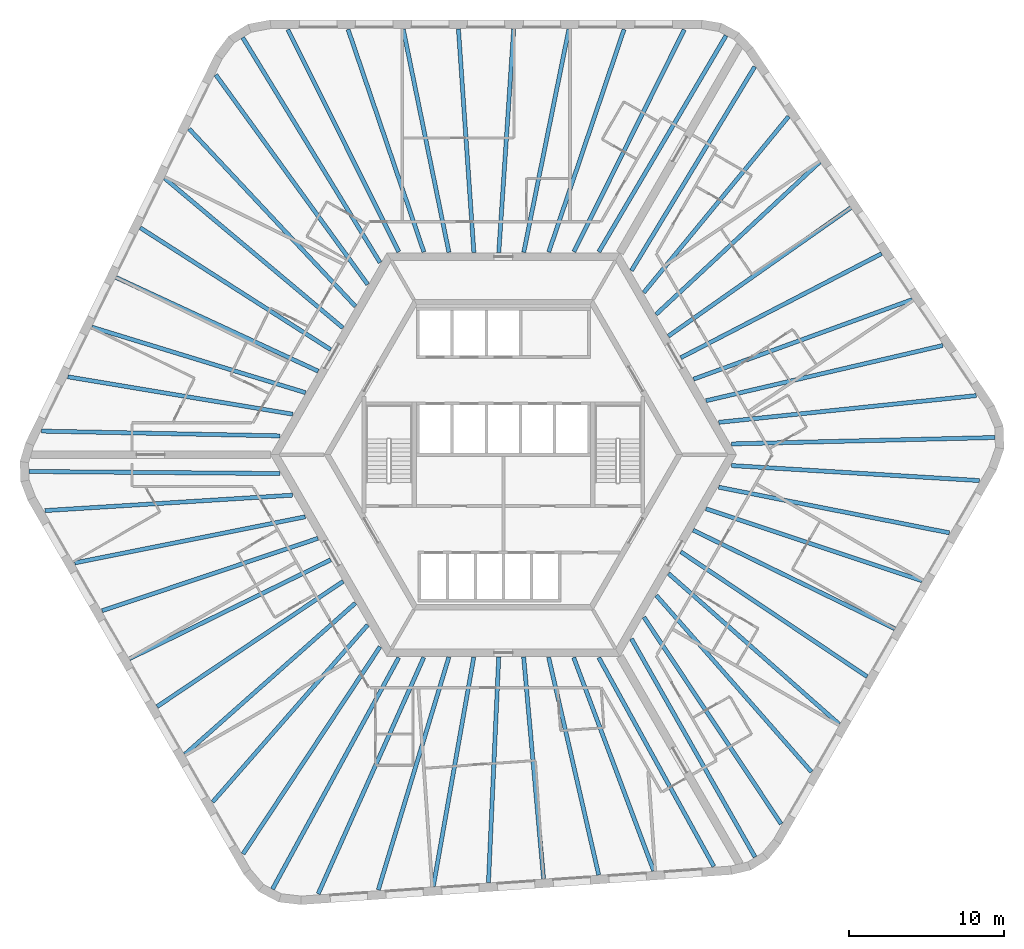
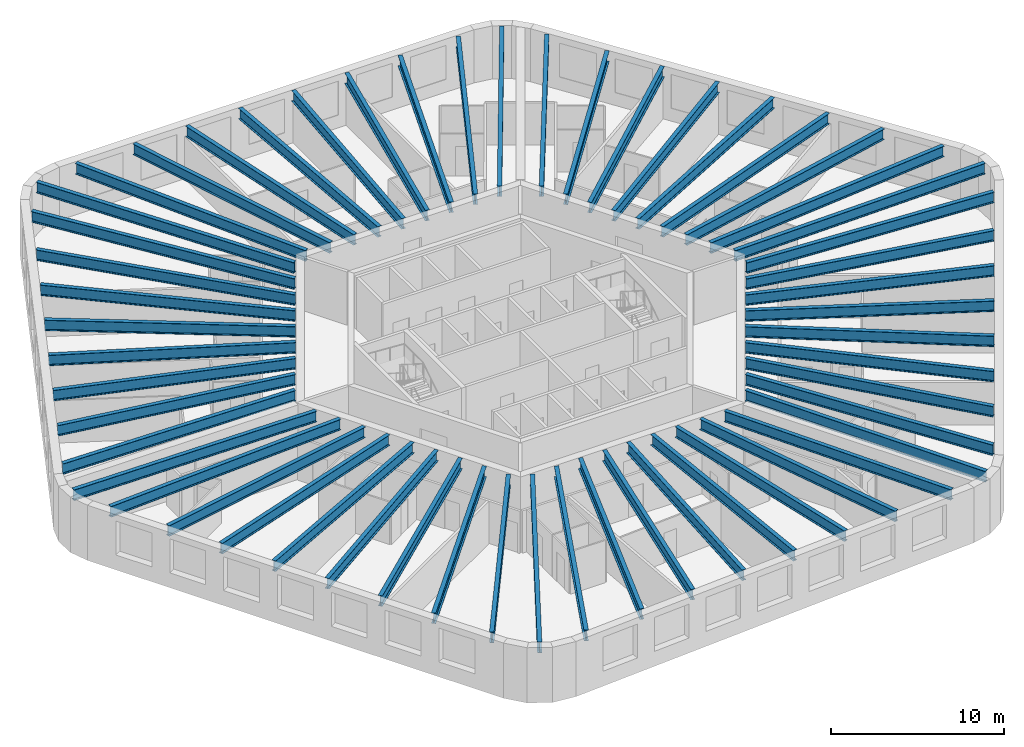
# One storey, part 1 of 10: 54 beams.
"""IFC4 building model written with IfcOpenShell, lengths in metres."""

from ifc_helpers import new_model, si_unit, direction, frame, origin, origin_2d, place, context, subcontext, project, spatial, i_section, extrude, material, material_profile, profile_set, type_object, element, save


model = new_model("IFC4")

# Units and contexts
model_context = context("Model", 3, precision=1e-05, world=origin(), true_north=direction((0.0, 1.0)))
body_context = subcontext(model_context, "Body", "Model", "MODEL_VIEW")
ifc_project = project(units=[si_unit("LENGTHUNIT", "METRE"), si_unit("AREAUNIT", "SQUARE_METRE"), si_unit("VOLUMEUNIT", "CUBIC_METRE"), si_unit("PLANEANGLEUNIT", "RADIAN"), si_unit("MASSUNIT", "GRAM", prefix="KILO")], contexts=[model_context])

# Site, building, storey
site_placement = place(None, origin())
site = spatial("IfcSite", under=ifc_project, at=site_placement, CompositionType="ELEMENT")
building_placement = place(site_placement, origin())
building = spatial("IfcBuilding", under=site, at=building_placement, Name="Tarnside Tower", CompositionType="ELEMENT")
storey_placement = place(building_placement, frame((0.0, 0.0, 187.800048828125)))
storey = spatial("IfcBuildingStorey", under=building, at=storey_placement, Name="L44", CompositionType="ELEMENT", Elevation=187.800048828125)

# Beams
ifc_material = material(Name="Steel S355", Category="steel")
ifc_material_profile_1 = material_profile(ifc_material, i_section(OverallWidth=0.26513671875, OverallDepth=0.75390625, WebThickness=0.0126953125, FlangeThickness=0.017578125, FilletRadius=0.0166015625, at=origin_2d()), Name="UB 762x267x147")
ifc_profile_set_1 = profile_set([ifc_material_profile_1], Name="Steel S355")
beam_type_1 = type_object("IfcBeamType", Name="Floor beam UB 762x267x147", PredefinedType="BEAM", material=ifc_profile_set_1)
beam_1_placement = place(storey_placement, frame((7.77001953125, 27.393310546875, 3.373046875), z_axis=(-0.320362579778, -0.947295000239, 0.0), x_axis=(0.947295000239, -0.320362579778, 0.0)))
element("IfcBeam", 1, at=beam_1_placement, inside=storey, type_object=beam_type_1, Name="Floor beam F1.02", PredefinedType="BEAM", context=body_context, shape_type="SweptSolid", body=[
    extrude(i_section(OverallWidth=0.26513671875, OverallDepth=0.75390625, WebThickness=0.0126953125, FlangeThickness=0.017578125, FilletRadius=0.0166015625, at=origin_2d()), origin(), (0.0, 0.0, 1.0), 15.134033203125),
])
beam_2_placement = place(storey_placement, frame((4.218505859375, 27.410888671875, 3.373046875), z_axis=(-0.19841777413, -0.980117537293, 0.0), x_axis=(0.980117537293, -0.19841777413, 0.0)))
element("IfcBeam", 2, at=beam_2_placement, inside=storey, type_object=beam_type_1, Name="Floor beam F1.03", PredefinedType="BEAM", context=body_context, shape_type="SweptSolid", body=[
    extrude(i_section(OverallWidth=0.26513671875, OverallDepth=0.75390625, WebThickness=0.0126953125, FlangeThickness=0.017578125, FilletRadius=0.0166015625, at=origin_2d()), origin(), (0.0, 0.0, 1.0), 14.6630859375),
])
beam_3_placement = place(storey_placement, frame((0.66259765625, 27.429931640625, 3.373046875), z_axis=(-0.066554914868, -0.997782763585, 0.0), x_axis=(0.997782763585, -0.066554914868, 0.0)))
element("IfcBeam", 3, at=beam_3_placement, inside=storey, type_object=beam_type_1, Name="Floor beam F1.04", PredefinedType="BEAM", context=body_context, shape_type="SweptSolid", body=[
    extrude(i_section(OverallWidth=0.26513671875, OverallDepth=0.75390625, WebThickness=0.0126953125, FlangeThickness=0.017578125, FilletRadius=0.0166015625, at=origin_2d()), origin(), (0.0, 0.0, 1.0), 14.44189453125),
])
beam_4_placement = place(storey_placement, frame((-2.8974609375, 27.429931640625, 3.373046875), z_axis=(0.068876921658, -0.997625164911, 0.0), x_axis=(0.997625164911, 0.068876921658, 0.0)))
element("IfcBeam", 4, at=beam_4_placement, inside=storey, type_object=beam_type_1, Name="Floor beam F1.05", PredefinedType="BEAM", context=body_context, shape_type="SweptSolid", body=[
    extrude(i_section(OverallWidth=0.26513671875, OverallDepth=0.75390625, WebThickness=0.0126953125, FlangeThickness=0.017578125, FilletRadius=0.0166015625, at=origin_2d()), origin(), (0.0, 0.0, 1.0), 14.4443359375),
])
beam_5_placement = place(storey_placement, frame((-6.45361328125, 27.410888671875, 3.373046875), z_axis=(0.200623497398, -0.979668419564, 0.0), x_axis=(0.979668419564, 0.200623497398, 0.0)))
element("IfcBeam", 5, at=beam_5_placement, inside=storey, type_object=beam_type_1, Name="Floor beam F1.06", PredefinedType="BEAM", context=body_context, shape_type="SweptSolid", body=[
    extrude(i_section(OverallWidth=0.26513671875, OverallDepth=0.75390625, WebThickness=0.0126953125, FlangeThickness=0.017578125, FilletRadius=0.0166015625, at=origin_2d()), origin(), (0.0, 0.0, 1.0), 14.669921875),
])
beam_6_placement = place(storey_placement, frame((-10.0048828125, 27.393310546875, 3.373046875), z_axis=(0.322343712034, -0.946622697442, 0.0), x_axis=(0.946622697442, 0.322343712034, 0.0)))
element("IfcBeam", 6, at=beam_6_placement, inside=storey, type_object=beam_type_1, Name="Floor beam F1.07", PredefinedType="BEAM", context=body_context, shape_type="SweptSolid", body=[
    extrude(i_section(OverallWidth=0.26513671875, OverallDepth=0.75390625, WebThickness=0.0126953125, FlangeThickness=0.017578125, FilletRadius=0.0166015625, at=origin_2d()), origin(), (0.0, 0.0, 1.0), 15.144775390625),
])
beam_7_placement = place(storey_placement, frame((-20.241455078125, 20.9892578125, 3.373046875), z_axis=(0.683752330283, -0.729714156936, 0.0), x_axis=(0.729714156936, 0.683752330283, 0.0)))
element("IfcBeam", 7, at=beam_7_placement, inside=storey, type_object=beam_type_1, Name="Floor beam F2.02", PredefinedType="BEAM", context=body_context, shape_type="SweptSolid", body=[
    extrude(i_section(OverallWidth=0.26513671875, OverallDepth=0.75390625, WebThickness=0.0126953125, FlangeThickness=0.017578125, FilletRadius=0.0166015625, at=origin_2d()), origin(), (0.0, 0.0, 1.0), 15.6591796875),
])
beam_8_placement = place(storey_placement, frame((-21.81396484375, 17.80419921875, 3.373046875), z_axis=(0.765948461073, -0.642901979294, 0.0), x_axis=(0.642901979294, 0.765948461073, 0.0)))
element("IfcBeam", 8, at=beam_8_placement, inside=storey, type_object=beam_type_1, Name="Floor beam F2.03", PredefinedType="BEAM", context=body_context, shape_type="SweptSolid", body=[
    extrude(i_section(OverallWidth=0.26513671875, OverallDepth=0.75390625, WebThickness=0.0126953125, FlangeThickness=0.017578125, FilletRadius=0.0166015625, at=origin_2d()), origin(), (0.0, 0.0, 1.0), 14.982177734375),
])
beam_9_placement = place(storey_placement, frame((-23.389892578125, 14.616455078125, 3.373046875), z_axis=(0.842378275633, -0.538886667808, 0.0), x_axis=(0.538886667808, 0.842378275633, 0.0)))
element("IfcBeam", 9, at=beam_9_placement, inside=storey, type_object=beam_type_1, Name="Floor beam F2.04", PredefinedType="BEAM", context=body_context, shape_type="SweptSolid", body=[
    extrude(i_section(OverallWidth=0.26513671875, OverallDepth=0.75390625, WebThickness=0.0126953125, FlangeThickness=0.017578125, FilletRadius=0.0166015625, at=origin_2d()), origin(), (0.0, 0.0, 1.0), 14.5595703125),
])
beam_10_placement = place(storey_placement, frame((-24.9501953125, 11.416748046875, 3.373046875), z_axis=(0.907310131748, -0.420462037321, 0.0), x_axis=(0.420462037321, 0.907310131748, 0.0)))
element("IfcBeam", 10, at=beam_10_placement, inside=storey, type_object=beam_type_1, Name="Floor beam F2.05", PredefinedType="BEAM", context=body_context, shape_type="SweptSolid", body=[
    extrude(i_section(OverallWidth=0.26513671875, OverallDepth=0.75390625, WebThickness=0.0126953125, FlangeThickness=0.017578125, FilletRadius=0.0166015625, at=origin_2d()), origin(), (0.0, 0.0, 1.0), 14.353515625),
])
beam_11_placement = place(storey_placement, frame((-26.510986328125, 8.2177734375, 3.373046875), z_axis=(0.956073348261, -0.293127536654, 0.0), x_axis=(0.293127536654, 0.956073348261, 0.0)))
element("IfcBeam", 11, at=beam_11_placement, inside=storey, type_object=beam_type_1, Name="Floor beam F2.06", PredefinedType="BEAM", context=body_context, shape_type="SweptSolid", body=[
    extrude(i_section(OverallWidth=0.26513671875, OverallDepth=0.75390625, WebThickness=0.0126953125, FlangeThickness=0.017578125, FilletRadius=0.0166015625, at=origin_2d()), origin(), (0.0, 0.0, 1.0), 14.3955078125),
])
beam_12_placement = place(storey_placement, frame((-28.0517578125, 5.015869140625, 3.373046875), z_axis=(0.986476498304, -0.163902770858, 0.0), x_axis=(0.163902770858, 0.986476498304, 0.0)))
element("IfcBeam", 12, at=beam_12_placement, inside=storey, type_object=beam_type_1, Name="Floor beam F2.07", PredefinedType="BEAM", context=body_context, shape_type="SweptSolid", body=[
    extrude(i_section(OverallWidth=0.26513671875, OverallDepth=0.75390625, WebThickness=0.0126953125, FlangeThickness=0.017578125, FilletRadius=0.0166015625, at=origin_2d()), origin(), (0.0, 0.0, 1.0), 14.680908203125),
])
beam_13_placement = place(storey_placement, frame((-29.73828125, 1.521484375, 3.373046875), z_axis=(0.999800142641, -0.019991867701, 0.0), x_axis=(0.019991867701, 0.999800142641, 0.0)))
element("IfcBeam", 13, at=beam_13_placement, inside=storey, type_object=beam_type_1, Name="Floor beam F2.08", PredefinedType="BEAM", context=body_context, shape_type="SweptSolid", body=[
    extrude(i_section(OverallWidth=0.26513671875, OverallDepth=0.75390625, WebThickness=0.0126953125, FlangeThickness=0.017578125, FilletRadius=0.0166015625, at=origin_2d()), origin(), (0.0, 0.0, 1.0), 15.3505859375),
])
beam_14_placement = place(storey_placement, frame((-27.608154296875, -6.967529296875, 3.373046875), z_axis=(0.980564540422, 0.196196794232, 0.0), x_axis=(-0.196196794232, 0.980564540422, 0.0)))
element("IfcBeam", 14, at=beam_14_placement, inside=storey, type_object=beam_type_1, Name="Floor beam F3.02", PredefinedType="BEAM", context=body_context, shape_type="SweptSolid", body=[
    extrude(i_section(OverallWidth=0.26513671875, OverallDepth=0.75390625, WebThickness=0.0126953125, FlangeThickness=0.017578125, FilletRadius=0.0166015625, at=origin_2d()), origin(), (0.0, 0.0, 1.0), 15.134033203125),
])
beam_15_placement = place(storey_placement, frame((-25.84765625, -10.052001953125, 3.373046875), z_axis=(0.948011835322, 0.31823507049, 0.0), x_axis=(-0.31823507049, 0.948011835322, 0.0)))
element("IfcBeam", 15, at=beam_15_placement, inside=storey, type_object=beam_type_1, Name="Floor beam F3.03", PredefinedType="BEAM", context=body_context, shape_type="SweptSolid", body=[
    extrude(i_section(OverallWidth=0.26513671875, OverallDepth=0.75390625, WebThickness=0.0126953125, FlangeThickness=0.017578125, FilletRadius=0.0166015625, at=origin_2d()), origin(), (0.0, 0.0, 1.0), 14.662841796875),
])
beam_16_placement = place(storey_placement, frame((-24.086181640625, -13.141357421875, 3.373046875), z_axis=(0.897375974806, 0.441266767206, 0.0), x_axis=(-0.441266767206, 0.897375974806, 0.0)))
element("IfcBeam", 16, at=beam_16_placement, inside=storey, type_object=beam_type_1, Name="Floor beam F3.04", PredefinedType="BEAM", context=body_context, shape_type="SweptSolid", body=[
    extrude(i_section(OverallWidth=0.26513671875, OverallDepth=0.75390625, WebThickness=0.0126953125, FlangeThickness=0.017578125, FilletRadius=0.0166015625, at=origin_2d()), origin(), (0.0, 0.0, 1.0), 14.442138671875),
])
beam_17_placement = place(storey_placement, frame((-22.306396484375, -16.224365234375, 3.373046875), z_axis=(0.829532486243, 0.558458462437, 0.0), x_axis=(-0.558458462437, 0.829532486243, 0.0)))
element("IfcBeam", 17, at=beam_17_placement, inside=storey, type_object=beam_type_1, Name="Floor beam F3.05", PredefinedType="BEAM", context=body_context, shape_type="SweptSolid", body=[
    extrude(i_section(OverallWidth=0.26513671875, OverallDepth=0.75390625, WebThickness=0.0126953125, FlangeThickness=0.017578125, FilletRadius=0.0166015625, at=origin_2d()), origin(), (0.0, 0.0, 1.0), 14.444580078125),
])
beam_18_placement = place(storey_placement, frame((-20.51171875, -19.294189453125, 3.373046875), z_axis=(0.74811408094, 0.663570133369, 0.0), x_axis=(-0.663570133369, 0.74811408094, 0.0)))
element("IfcBeam", 18, at=beam_18_placement, inside=storey, type_object=beam_type_1, Name="Floor beam F3.06", PredefinedType="BEAM", context=body_context, shape_type="SweptSolid", body=[
    extrude(i_section(OverallWidth=0.26513671875, OverallDepth=0.75390625, WebThickness=0.0126953125, FlangeThickness=0.017578125, FilletRadius=0.0166015625, at=origin_2d()), origin(), (0.0, 0.0, 1.0), 14.669677734375),
])
beam_19_placement = place(storey_placement, frame((-18.720703125, -22.361083984375, 3.373046875), z_axis=(0.658621010302, 0.752474826681, 0.0), x_axis=(-0.752474826681, 0.658621010302, 0.0)))
element("IfcBeam", 19, at=beam_19_placement, inside=storey, type_object=beam_type_1, Name="Floor beam F3.07", PredefinedType="BEAM", context=body_context, shape_type="SweptSolid", body=[
    extrude(i_section(OverallWidth=0.26513671875, OverallDepth=0.75390625, WebThickness=0.0126953125, FlangeThickness=0.017578125, FilletRadius=0.0166015625, at=origin_2d()), origin(), (0.0, 0.0, 1.0), 15.144775390625),
])
beam_20_placement = place(storey_placement, frame((-8.056396484375, -28.024169921875, 3.373046875), z_axis=(0.290070138838, 0.957005388989, 0.0), x_axis=(-0.957005388989, 0.290070138838, 0.0)))
element("IfcBeam", 20, at=beam_20_placement, inside=storey, type_object=beam_type_1, Name="Floor beam F4.02", PredefinedType="BEAM", context=body_context, shape_type="SweptSolid", body=[
    extrude(i_section(OverallWidth=0.26513671875, OverallDepth=0.75390625, WebThickness=0.0126953125, FlangeThickness=0.017578125, FilletRadius=0.0166015625, at=origin_2d()), origin(), (0.0, 0.0, 1.0), 15.6591796875),
])
beam_21_placement = place(storey_placement, frame((-4.511962890625, -27.793701171875, 3.373046875), z_axis=(0.173788122681, 0.984783066678, 0.0), x_axis=(-0.984783066678, 0.173788122681, 0.0)))
element("IfcBeam", 21, at=beam_21_placement, inside=storey, type_object=beam_type_1, Name="Floor beam F4.03", PredefinedType="BEAM", context=body_context, shape_type="SweptSolid", body=[
    extrude(i_section(OverallWidth=0.26513671875, OverallDepth=0.75390625, WebThickness=0.0126953125, FlangeThickness=0.017578125, FilletRadius=0.0166015625, at=origin_2d()), origin(), (0.0, 0.0, 1.0), 14.982421875),
])
beam_22_placement = place(storey_placement, frame((-0.96337890625, -27.564453125, 3.373046875), z_axis=(0.045509585226, 0.998963902077, 0.0), x_axis=(-0.998963902077, 0.045509585226, 0.0)))
element("IfcBeam", 22, at=beam_22_placement, inside=storey, type_object=beam_type_1, Name="Floor beam F4.04", PredefinedType="BEAM", context=body_context, shape_type="SweptSolid", body=[
    extrude(i_section(OverallWidth=0.26513671875, OverallDepth=0.75390625, WebThickness=0.0126953125, FlangeThickness=0.017578125, FilletRadius=0.0166015625, at=origin_2d()), origin(), (0.0, 0.0, 1.0), 14.5595703125),
])
beam_23_placement = place(storey_placement, frame((2.587890625, -27.31591796875, 3.373046875), z_axis=(-0.089518916897, 0.995985122137, 0.0), x_axis=(-0.995985122137, -0.089518916897, 0.0)))
element("IfcBeam", 23, at=beam_23_placement, inside=storey, type_object=beam_type_1, Name="Floor beam F4.05", PredefinedType="BEAM", context=body_context, shape_type="SweptSolid", body=[
    extrude(i_section(OverallWidth=0.26513671875, OverallDepth=0.75390625, WebThickness=0.0126953125, FlangeThickness=0.017578125, FilletRadius=0.0166015625, at=origin_2d()), origin(), (0.0, 0.0, 1.0), 14.353515625),
])
beam_24_placement = place(storey_placement, frame((6.138671875, -27.068115234375, 3.373046875), z_axis=(-0.224188122435, 0.974545886944, 0.0), x_axis=(-0.974545886944, -0.224188122435, 0.0)))
element("IfcBeam", 24, at=beam_24_placement, inside=storey, type_object=beam_type_1, Name="Floor beam F4.06", PredefinedType="BEAM", context=body_context, shape_type="SweptSolid", body=[
    extrude(i_section(OverallWidth=0.26513671875, OverallDepth=0.75390625, WebThickness=0.0126953125, FlangeThickness=0.017578125, FilletRadius=0.0166015625, at=origin_2d()), origin(), (0.0, 0.0, 1.0), 14.3955078125),
])
beam_25_placement = place(storey_placement, frame((9.681884765625, -26.801513671875, 3.373046875), z_axis=(-0.351271055087, 0.936273809234, 0.0), x_axis=(-0.936273809234, -0.351271055087, 0.0)))
element("IfcBeam", 25, at=beam_25_placement, inside=storey, type_object=beam_type_1, Name="Floor beam F4.07", PredefinedType="BEAM", context=body_context, shape_type="SweptSolid", body=[
    extrude(i_section(OverallWidth=0.26513671875, OverallDepth=0.75390625, WebThickness=0.0126953125, FlangeThickness=0.017578125, FilletRadius=0.0166015625, at=origin_2d()), origin(), (0.0, 0.0, 1.0), 14.680908203125),
])
beam_26_placement = place(storey_placement, frame((13.551513671875, -26.514892578125, 3.373046875), z_axis=(-0.482584088089, 0.875849643445, 0.0), x_axis=(-0.875849643445, -0.482584088089, 0.0)))
element("IfcBeam", 26, at=beam_26_placement, inside=storey, type_object=beam_type_1, Name="Floor beam F4.08", PredefinedType="BEAM", context=body_context, shape_type="SweptSolid", body=[
    extrude(i_section(OverallWidth=0.26513671875, OverallDepth=0.75390625, WebThickness=0.0126953125, FlangeThickness=0.017578125, FilletRadius=0.0166015625, at=origin_2d()), origin(), (0.0, 0.0, 1.0), 15.3505859375),
])
beam_27_placement = place(storey_placement, frame((19.838134765625, -20.425537109375, 3.373046875), z_axis=(-0.660201214512, 0.751088780609, 0.0), x_axis=(-0.751088780609, -0.660201214512, 0.0)))
element("IfcBeam", 27, at=beam_27_placement, inside=storey, type_object=beam_type_1, Name="Floor beam F5.02", PredefinedType="BEAM", context=body_context, shape_type="SweptSolid", body=[
    extrude(i_section(OverallWidth=0.26513671875, OverallDepth=0.75390625, WebThickness=0.0126953125, FlangeThickness=0.017578125, FilletRadius=0.0166015625, at=origin_2d()), origin(), (0.0, 0.0, 1.0), 15.134033203125),
])
beam_28_placement = place(storey_placement, frame((21.629150390625, -17.358642578125, 3.373046875), z_axis=(-0.749601662028, 0.661889226597, 0.0), x_axis=(-0.661889226597, -0.749601662028, 0.0)))
element("IfcBeam", 28, at=beam_28_placement, inside=storey, type_object=beam_type_1, Name="Floor beam F5.03", PredefinedType="BEAM", context=body_context, shape_type="SweptSolid", body=[
    extrude(i_section(OverallWidth=0.26513671875, OverallDepth=0.75390625, WebThickness=0.0126953125, FlangeThickness=0.017578125, FilletRadius=0.0166015625, at=origin_2d()), origin(), (0.0, 0.0, 1.0), 14.6630859375),
])
beam_29_placement = place(storey_placement, frame((23.423828125, -14.288818359375, 3.373046875), z_axis=(-0.830825943553, 0.556532345439, 0.0), x_axis=(-0.556532345439, -0.830825943553, 0.0)))
element("IfcBeam", 29, at=beam_29_placement, inside=storey, type_object=beam_type_1, Name="Floor beam F5.04", PredefinedType="BEAM", context=body_context, shape_type="SweptSolid", body=[
    extrude(i_section(OverallWidth=0.26513671875, OverallDepth=0.75390625, WebThickness=0.0126953125, FlangeThickness=0.017578125, FilletRadius=0.0166015625, at=origin_2d()), origin(), (0.0, 0.0, 1.0), 14.4423828125),
])
beam_30_placement = place(storey_placement, frame((25.203857421875, -11.205810546875, 3.373046875), z_axis=(-0.898407034897, 0.43916375038, 0.0), x_axis=(-0.43916375038, -0.898407034897, 0.0)))
element("IfcBeam", 30, at=beam_30_placement, inside=storey, type_object=beam_type_1, Name="Floor beam F5.05", PredefinedType="BEAM", context=body_context, shape_type="SweptSolid", body=[
    extrude(i_section(OverallWidth=0.26513671875, OverallDepth=0.75390625, WebThickness=0.0126953125, FlangeThickness=0.017578125, FilletRadius=0.0166015625, at=origin_2d()), origin(), (0.0, 0.0, 1.0), 14.444580078125),
])
beam_31_placement = place(storey_placement, frame((26.965087890625, -8.116455078125, 3.373046875), z_axis=(-0.948728223501, 0.31609295774, 0.0), x_axis=(-0.31609295774, -0.948728223501, 0.0)))
element("IfcBeam", 31, at=beam_31_placement, inside=storey, type_object=beam_type_1, Name="Floor beam F5.06", PredefinedType="BEAM", context=body_context, shape_type="SweptSolid", body=[
    extrude(i_section(OverallWidth=0.26513671875, OverallDepth=0.75390625, WebThickness=0.0126953125, FlangeThickness=0.017578125, FilletRadius=0.0166015625, at=origin_2d()), origin(), (0.0, 0.0, 1.0), 14.669677734375),
])
beam_32_placement = place(storey_placement, frame((28.7255859375, -5.031982421875, 3.373046875), z_axis=(-0.980974250646, 0.194137888034, 0.0), x_axis=(-0.194137888034, -0.980974250646, 0.0)))
element("IfcBeam", 32, at=beam_32_placement, inside=storey, type_object=beam_type_1, Name="Floor beam F5.07", PredefinedType="BEAM", context=body_context, shape_type="SweptSolid", body=[
    extrude(i_section(OverallWidth=0.26513671875, OverallDepth=0.75390625, WebThickness=0.0126953125, FlangeThickness=0.017578125, FilletRadius=0.0166015625, at=origin_2d()), origin(), (0.0, 0.0, 1.0), 15.144775390625),
])
beam_33_placement = place(storey_placement, frame((28.2978515625, 7.034912109375, 3.373046875), z_axis=(-0.973828212928, -0.227285309042, 0.0), x_axis=(0.227285309042, -0.973828212928, 0.0)))
element("IfcBeam", 33, at=beam_33_placement, inside=storey, type_object=beam_type_1, Name="Floor beam F6.02", PredefinedType="BEAM", context=body_context, shape_type="SweptSolid", body=[
    extrude(i_section(OverallWidth=0.26513671875, OverallDepth=0.75390625, WebThickness=0.0126953125, FlangeThickness=0.017578125, FilletRadius=0.0166015625, at=origin_2d()), origin(), (0.0, 0.0, 1.0), 15.6591796875),
])
beam_34_placement = place(storey_placement, frame((26.325927734375, 9.989501953125, 3.373046875), z_axis=(-0.939738697004, -0.341893523415, 0.0), x_axis=(0.341893523415, -0.939738697004, 0.0)))
element("IfcBeam", 34, at=beam_34_placement, inside=storey, type_object=beam_type_1, Name="Floor beam F6.03", PredefinedType="BEAM", context=body_context, shape_type="SweptSolid", body=[
    extrude(i_section(OverallWidth=0.26513671875, OverallDepth=0.75390625, WebThickness=0.0126953125, FlangeThickness=0.017578125, FilletRadius=0.0166015625, at=origin_2d()), origin(), (0.0, 0.0, 1.0), 14.982177734375),
])
beam_35_placement = place(storey_placement, frame((24.353271484375, 12.947998046875, 3.373046875), z_axis=(-0.887881646639, -0.460071930856, 0.0), x_axis=(0.460071930856, -0.887881646639, 0.0)))
element("IfcBeam", 35, at=beam_35_placement, inside=storey, type_object=beam_type_1, Name="Floor beam F6.04", PredefinedType="BEAM", context=body_context, shape_type="SweptSolid", body=[
    extrude(i_section(OverallWidth=0.26513671875, OverallDepth=0.75390625, WebThickness=0.0126953125, FlangeThickness=0.017578125, FilletRadius=0.0166015625, at=origin_2d()), origin(), (0.0, 0.0, 1.0), 14.5595703125),
])
beam_36_placement = place(storey_placement, frame((22.3623046875, 15.899169921875, 3.373046875), z_axis=(-0.817791001708, -0.575515314762, 0.0), x_axis=(0.575515314762, -0.817791001708, 0.0)))
element("IfcBeam", 36, at=beam_36_placement, inside=storey, type_object=beam_type_1, Name="Floor beam F6.05", PredefinedType="BEAM", context=body_context, shape_type="SweptSolid", body=[
    extrude(i_section(OverallWidth=0.26513671875, OverallDepth=0.75390625, WebThickness=0.0126953125, FlangeThickness=0.017578125, FilletRadius=0.0166015625, at=origin_2d()), origin(), (0.0, 0.0, 1.0), 14.353759765625),
])
beam_37_placement = place(storey_placement, frame((20.372314453125, 18.850341796875, 3.373046875), z_axis=(-0.731892224456, -0.681420407517, 0.0), x_axis=(0.681420407517, -0.731892224456, 0.0)))
element("IfcBeam", 37, at=beam_37_placement, inside=storey, type_object=beam_type_1, Name="Floor beam F6.06", PredefinedType="BEAM", context=body_context, shape_type="SweptSolid", body=[
    extrude(i_section(OverallWidth=0.26513671875, OverallDepth=0.75390625, WebThickness=0.0126953125, FlangeThickness=0.017578125, FilletRadius=0.0166015625, at=origin_2d()), origin(), (0.0, 0.0, 1.0), 14.3955078125),
])
beam_38_placement = place(storey_placement, frame((18.369873046875, 21.78564453125, 3.373046875), z_axis=(-0.635191827457, -0.772354414975, 0.0), x_axis=(0.772354414975, -0.635191827457, 0.0)))
element("IfcBeam", 38, at=beam_38_placement, inside=storey, type_object=beam_type_1, Name="Floor beam F6.07", PredefinedType="BEAM", context=body_context, shape_type="SweptSolid", body=[
    extrude(i_section(OverallWidth=0.26513671875, OverallDepth=0.75390625, WebThickness=0.0126953125, FlangeThickness=0.017578125, FilletRadius=0.0166015625, at=origin_2d()), origin(), (0.0, 0.0, 1.0), 14.680908203125),
])
beam_39_placement = place(storey_placement, frame((16.186767578125, 24.993408203125, 3.373046875), z_axis=(-0.517208605106, -0.855859368591, 0.0), x_axis=(0.855859368591, -0.517208605106, 0.0)))
element("IfcBeam", 39, at=beam_39_placement, inside=storey, type_object=beam_type_1, Name="Floor beam F6.08", PredefinedType="BEAM", context=body_context, shape_type="SweptSolid", body=[
    extrude(i_section(OverallWidth=0.26513671875, OverallDepth=0.75390625, WebThickness=0.0126953125, FlangeThickness=0.017578125, FilletRadius=0.0166015625, at=origin_2d()), origin(), (0.0, 0.0, 1.0), 15.3505859375),
])
ifc_material_profile_2 = material_profile(ifc_material, i_section(OverallWidth=0.2666015625, OverallDepth=0.76220703125, WebThickness=0.014404296875, FlangeThickness=0.021484375, FilletRadius=0.0166015625, at=origin_2d()), Name="UB 762x267x173")
ifc_profile_set_2 = profile_set([ifc_material_profile_2], Name="Steel S355")
beam_type_2 = type_object("IfcBeamType", Name="Floor beam UB 762x267x173", PredefinedType="BEAM", material=ifc_profile_set_2)
beam_40_placement = place(storey_placement, frame((11.6494140625, 27.37841796875, 3.368896484375), z_axis=(-0.445042310328, -0.895509543231, 0.0), x_axis=(0.895509543231, -0.445042310328, 0.0)))
element("IfcBeam", 40, at=beam_40_placement, inside=storey, type_object=beam_type_2, Name="Floor beam F1.01", PredefinedType="BEAM", context=body_context, shape_type="SweptSolid", body=[
    extrude(i_section(OverallWidth=0.2666015625, OverallDepth=0.76220703125, WebThickness=0.014404296875, FlangeThickness=0.021484375, FilletRadius=0.0166015625, at=origin_2d()), origin(), (0.0, 0.0, 1.0), 15.976318359375),
])
beam_41_placement = place(storey_placement, frame((-13.884521484375, 27.37841796875, 3.368896484375), z_axis=(0.44673108957, -0.894668281326, 0.0), x_axis=(0.894668281326, 0.44673108957, 0.0)))
element("IfcBeam", 41, at=beam_41_placement, inside=storey, type_object=beam_type_2, Name="Floor beam F1.08", PredefinedType="BEAM", context=body_context, shape_type="SweptSolid", body=[
    extrude(i_section(OverallWidth=0.2666015625, OverallDepth=0.76220703125, WebThickness=0.014404296875, FlangeThickness=0.021484375, FilletRadius=0.0166015625, at=origin_2d()), origin(), (0.0, 0.0, 1.0), 15.9912109375),
])
beam_42_placement = place(storey_placement, frame((-16.79345703125, 26.86962890625, 3.368896484375), z_axis=(0.520940467881, -0.853593011291, 0.0), x_axis=(0.853593011291, 0.520940467881, 0.0)))
element("IfcBeam", 42, at=beam_42_placement, inside=storey, type_object=beam_type_2, Name="Floor beam C1", PredefinedType="BEAM", context=body_context, shape_type="SweptSolid", body=[
    extrude(i_section(OverallWidth=0.2666015625, OverallDepth=0.76220703125, WebThickness=0.014404296875, FlangeThickness=0.021484375, FilletRadius=0.0166015625, at=origin_2d()), origin(), (0.0, 0.0, 1.0), 16.980712890625),
])
beam_43_placement = place(storey_placement, frame((-18.52685546875, 24.471435546875, 3.368896484375), z_axis=(0.586791943415, -0.80973774467, 0.0), x_axis=(0.80973774467, 0.586791943415, 0.0)))
element("IfcBeam", 43, at=beam_43_placement, inside=storey, type_object=beam_type_2, Name="Floor beam F2.01", PredefinedType="BEAM", context=body_context, shape_type="SweptSolid", body=[
    extrude(i_section(OverallWidth=0.2666015625, OverallDepth=0.76220703125, WebThickness=0.014404296875, FlangeThickness=0.021484375, FilletRadius=0.0166015625, at=origin_2d()), origin(), (0.0, 0.0, 1.0), 16.67578125),
])
beam_44_placement = place(storey_placement, frame((-30.543212890625, -1.079345703125, 3.368896484375), z_axis=(0.999966072652, -0.008237326324, 0.0), x_axis=(0.008237326324, 0.999966072652, 0.0)))
element("IfcBeam", 44, at=beam_44_placement, inside=storey, type_object=beam_type_2, Name="Floor beam C2", PredefinedType="BEAM", context=body_context, shape_type="SweptSolid", body=[
    extrude(i_section(OverallWidth=0.2666015625, OverallDepth=0.76220703125, WebThickness=0.014404296875, FlangeThickness=0.021484375, FilletRadius=0.0166015625, at=origin_2d()), origin(), (0.0, 0.0, 1.0), 16.15283203125),
])
beam_45_placement = place(storey_placement, frame((-29.534912109375, -3.6005859375, 3.368896484375), z_axis=(0.99805531279, 0.062334521832, 0.0), x_axis=(-0.062334521832, 0.99805531279, 0.0)))
element("IfcBeam", 45, at=beam_45_placement, inside=storey, type_object=beam_type_2, Name="Floor beam F3.01", PredefinedType="BEAM", context=body_context, shape_type="SweptSolid", body=[
    extrude(i_section(OverallWidth=0.2666015625, OverallDepth=0.76220703125, WebThickness=0.014404296875, FlangeThickness=0.021484375, FilletRadius=0.0166015625, at=origin_2d()), origin(), (0.0, 0.0, 1.0), 15.975830078125),
])
beam_46_placement = place(storey_placement, frame((-16.768310546875, -25.71337890625, 3.368896484375), z_axis=(0.551447600123, 0.834209532623, 0.0), x_axis=(-0.834209532623, 0.551447600123, 0.0)))
element("IfcBeam", 46, at=beam_46_placement, inside=storey, type_object=beam_type_2, Name="Floor beam F3.08", PredefinedType="BEAM", context=body_context, shape_type="SweptSolid", body=[
    extrude(i_section(OverallWidth=0.2666015625, OverallDepth=0.76220703125, WebThickness=0.014404296875, FlangeThickness=0.021484375, FilletRadius=0.0166015625, at=origin_2d()), origin(), (0.0, 0.0, 1.0), 15.9912109375),
])
beam_47_placement = place(storey_placement, frame((-14.873046875, -27.978515625, 3.368896484375), z_axis=(0.478767512404, 0.877941723047, 0.0), x_axis=(-0.877941723047, 0.478767512404, 0.0)))
element("IfcBeam", 47, at=beam_47_placement, inside=storey, type_object=beam_type_2, Name="Floor beam C3", PredefinedType="BEAM", context=body_context, shape_type="SweptSolid", body=[
    extrude(i_section(OverallWidth=0.2666015625, OverallDepth=0.76220703125, WebThickness=0.014404296875, FlangeThickness=0.021484375, FilletRadius=0.0166015625, at=origin_2d()), origin(), (0.0, 0.0, 1.0), 16.98095703125),
])
beam_48_placement = place(storey_placement, frame((-11.929443359375, -28.280517578125, 3.368896484375), z_axis=(0.407852035629, 0.913048036542, 0.0), x_axis=(-0.913048036542, 0.407852035629, 0.0)))
element("IfcBeam", 48, at=beam_48_placement, inside=storey, type_object=beam_type_2, Name="Floor beam F4.01", PredefinedType="BEAM", context=body_context, shape_type="SweptSolid", body=[
    extrude(i_section(OverallWidth=0.2666015625, OverallDepth=0.76220703125, WebThickness=0.014404296875, FlangeThickness=0.021484375, FilletRadius=0.0166015625, at=origin_2d()), origin(), (0.0, 0.0, 1.0), 16.67578125),
])
beam_49_placement = place(storey_placement, frame((16.206298828125, -25.91162109375, 3.368896484375), z_axis=(-0.492847437034, 0.870115741616, 0.0), x_axis=(-0.870115741616, -0.492847437034, 0.0)))
element("IfcBeam", 49, at=beam_49_placement, inside=storey, type_object=beam_type_2, Name="Floor beam C4", PredefinedType="BEAM", context=body_context, shape_type="SweptSolid", body=[
    extrude(i_section(OverallWidth=0.2666015625, OverallDepth=0.76220703125, WebThickness=0.014404296875, FlangeThickness=0.021484375, FilletRadius=0.0166015625, at=origin_2d()), origin(), (0.0, 0.0, 1.0), 16.15283203125),
])
beam_50_placement = place(storey_placement, frame((17.8857421875, -23.77783203125, 3.368896484375), z_axis=(-0.553013371197, 0.833172377889, 0.0), x_axis=(-0.833172377889, -0.553013371197, 0.0)))
element("IfcBeam", 50, at=beam_50_placement, inside=storey, type_object=beam_type_2, Name="Floor beam F5.01", PredefinedType="BEAM", context=body_context, shape_type="SweptSolid", body=[
    extrude(i_section(OverallWidth=0.2666015625, OverallDepth=0.76220703125, WebThickness=0.014404296875, FlangeThickness=0.021484375, FilletRadius=0.0166015625, at=origin_2d()), origin(), (0.0, 0.0, 1.0), 15.97607421875),
])
beam_51_placement = place(storey_placement, frame((30.652587890625, -1.6650390625, 3.368896484375), z_axis=(-0.998170730858, 0.060458184371, 0.0), x_axis=(-0.060458184371, -0.998170730858, 0.0)))
element("IfcBeam", 51, at=beam_51_placement, inside=storey, type_object=beam_type_2, Name="Floor beam F5.08", PredefinedType="BEAM", context=body_context, shape_type="SweptSolid", body=[
    extrude(i_section(OverallWidth=0.2666015625, OverallDepth=0.76220703125, WebThickness=0.014404296875, FlangeThickness=0.021484375, FilletRadius=0.0166015625, at=origin_2d()), origin(), (0.0, 0.0, 1.0), 15.9912109375),
])
beam_52_placement = place(storey_placement, frame((31.66650390625, 1.108642578125, 3.368896484375), z_axis=(-0.999703706976, -0.024341287118, 0.0), x_axis=(0.024341287118, -0.999703706976, 0.0)))
element("IfcBeam", 52, at=beam_52_placement, inside=storey, type_object=beam_type_2, Name="Floor beam C5", PredefinedType="BEAM", context=body_context, shape_type="SweptSolid", body=[
    extrude(i_section(OverallWidth=0.2666015625, OverallDepth=0.76220703125, WebThickness=0.014404296875, FlangeThickness=0.021484375, FilletRadius=0.0166015625, at=origin_2d()), origin(), (0.0, 0.0, 1.0), 16.980712890625),
])
beam_53_placement = place(storey_placement, frame((30.456298828125, 3.80908203125, 3.368896484375), z_axis=(-0.994648352349, -0.103318222829, 0.0), x_axis=(0.103318222829, -0.994648352349, 0.0)))
element("IfcBeam", 53, at=beam_53_placement, inside=storey, type_object=beam_type_2, Name="Floor beam F6.01", PredefinedType="BEAM", context=body_context, shape_type="SweptSolid", body=[
    extrude(i_section(OverallWidth=0.2666015625, OverallDepth=0.76220703125, WebThickness=0.014404296875, FlangeThickness=0.021484375, FilletRadius=0.0166015625, at=origin_2d()), origin(), (0.0, 0.0, 1.0), 16.67578125),
])
beam_54_placement = place(storey_placement, frame((14.3369140625, 26.990966796875, 3.368896484375), z_axis=(-0.507115238706, -0.861878259775, 0.0), x_axis=(0.861878259775, -0.507115238706, 0.0)))
element("IfcBeam", 54, at=beam_54_placement, inside=storey, type_object=beam_type_2, Name="Floor beam C6", PredefinedType="BEAM", context=body_context, shape_type="SweptSolid", body=[
    extrude(i_section(OverallWidth=0.2666015625, OverallDepth=0.76220703125, WebThickness=0.014404296875, FlangeThickness=0.021484375, FilletRadius=0.0166015625, at=origin_2d()), origin(), (0.0, 0.0, 1.0), 16.15283203125),
])

save(model, "model.ifc")
